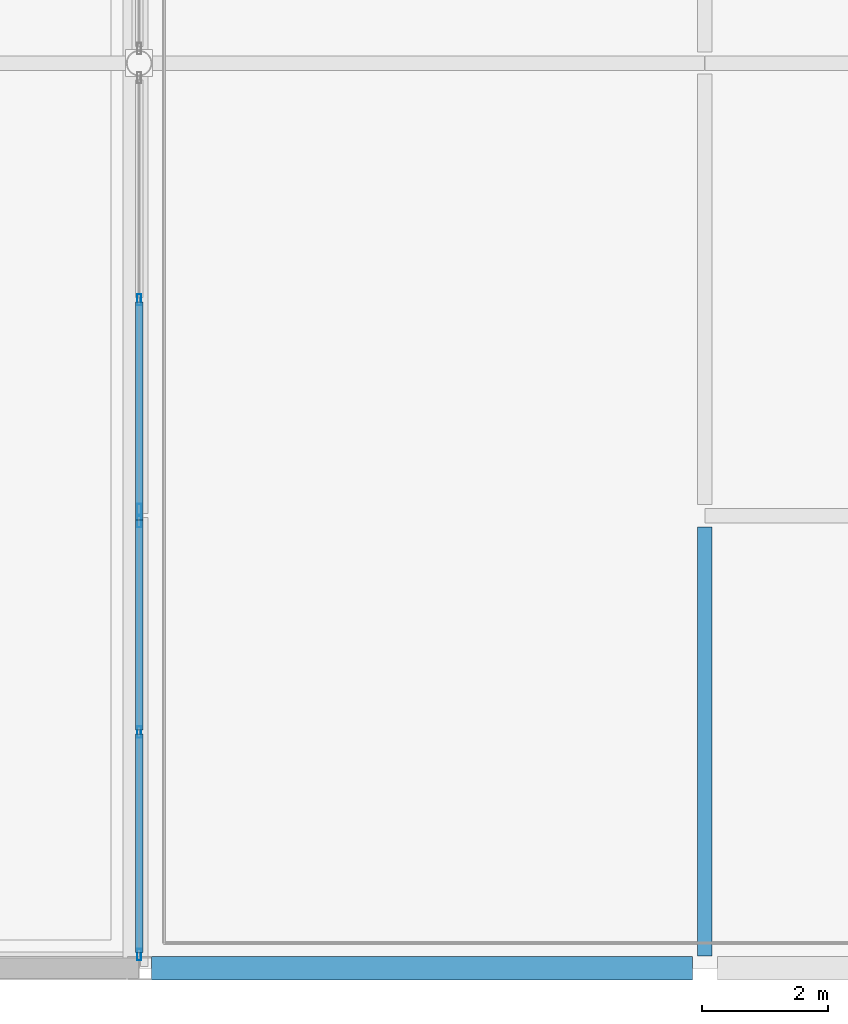
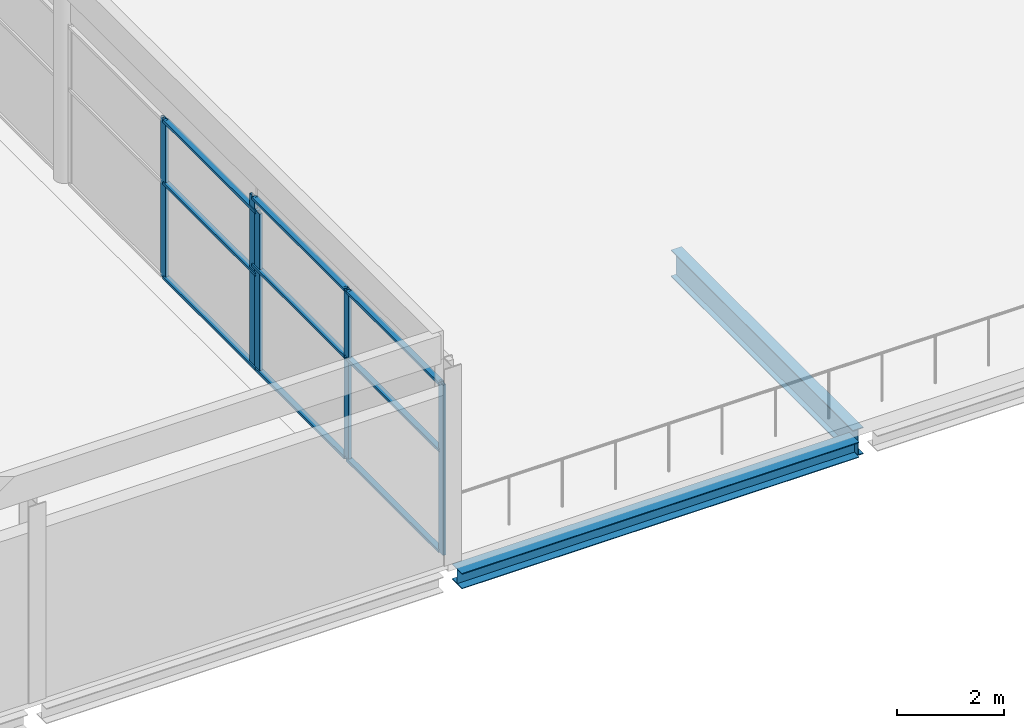
# One storey, part 13 of 52: 14 members, 2 beams, 2 elements without a shape of their own.
"""IFC4 building model written with IfcOpenShell, lengths in metres."""

from ifc_helpers import new_model, si_unit, direction, frame, origin, origin_2d, place, context, subcontext, project, spatial, hollow_rectangle, i_section, extrude, material, layer, layer_set, material_profile, profile_set, type_object, element, aggregate, save


model = new_model("IFC4")

# Units and contexts
model_context = context("Model", 3, precision=1e-05, world=origin(), true_north=direction((0.0, 1.0)))
body_context = subcontext(model_context, "Body", "Model", "MODEL_VIEW")
ifc_project = project(units=[si_unit("LENGTHUNIT", "METRE"), si_unit("AREAUNIT", "SQUARE_METRE"), si_unit("VOLUMEUNIT", "CUBIC_METRE"), si_unit("PLANEANGLEUNIT", "RADIAN"), si_unit("MASSUNIT", "GRAM", prefix="KILO")], contexts=[model_context])

# Site, building, storey
site_placement = place(None, origin())
site = spatial("IfcSite", under=ifc_project, at=site_placement, CompositionType="ELEMENT")
building_placement = place(site_placement, origin())
building = spatial("IfcBuilding", under=site, at=building_placement, Name="Celestram Park Convention Centre", CompositionType="ELEMENT")
storey_placement = place(building_placement, frame((0.0, 0.0, 24.300048828125)))
storey = spatial("IfcBuildingStorey", under=building, at=storey_placement, Name="L05", CompositionType="ELEMENT", Elevation=24.300048828125)

# Curtain wall, members
ifc_material_1 = material(Name="Anodised Aluminium Alloy 6063-T6", Category="aluminium")
ifc_layer_1 = layer(ifc_material_1, 0.179931640625)
ifc_layer_set_1 = layer_set([ifc_layer_1], Name="Anodised Aluminium Alloy 6063-T6")
curtain_wall_type_1 = type_object("IfcCurtainWallType", Name="ARC-CW-713X365", PredefinedType="NOTDEFINED", material=ifc_layer_set_1)
curtain_wall_1_placement = place(storey_placement, origin())
curtain_wall_1 = element("IfcCurtainWall", 1, at=curtain_wall_1_placement, inside=storey, type_object=curtain_wall_type_1, Name="Unitised curtain wall CU-L05-258", PredefinedType="NOTDEFINED")
ifc_material_profile_1 = material_profile(ifc_material_1, hollow_rectangle(XDim=0.06494140625, YDim=0.179931640625, WallThickness=0.00390625, at=origin_2d()), Name="ALU65X180X4")
ifc_profile_set_1 = profile_set([ifc_material_profile_1], Name="Anodised Aluminium Alloy 6063-T6")
member_type_1 = type_object("IfcMemberType", Name="ARC-CWM-150", PredefinedType="MULLION", material=ifc_profile_set_1)
member_1_placement = place(storey_placement, frame((72.0, 118.635498046875, 0.0), z_axis=(0.0, 0.0, 1.0), x_axis=(1.0, 0.0, 0.0)))
member_1 = element("IfcMember", 2, at=member_1_placement, type_object=member_type_1, Name="CW-71X36 mullion 2", PredefinedType="MULLION", context=body_context, shape_type="SweptSolid", body=[
    extrude(hollow_rectangle(XDim=0.06494140625, YDim=0.179931640625, WallThickness=0.00390625, at=origin_2d()), origin(), (0.0, 0.0, 1.0), 3.64794921875),
])
member_2_placement = place(storey_placement, frame((72.0, 115.1025390625, 0.0), z_axis=(0.0, 0.0, 1.0), x_axis=(1.0, 0.0, 0.0)))
member_2 = element("IfcMember", 3, at=member_2_placement, type_object=member_type_1, Name="CW-71X36 mullion 3", PredefinedType="MULLION", context=body_context, shape_type="SweptSolid", body=[
    extrude(hollow_rectangle(XDim=0.06494140625, YDim=0.179931640625, WallThickness=0.00390625, at=origin_2d()), origin(), (0.0, 0.0, 1.0), 3.64794921875),
])

ifc_layer_2 = layer(ifc_material_1, 0.179931640625)
ifc_layer_set_2 = layer_set([ifc_layer_2], Name="Anodised Aluminium Alloy 6063-T6")
curtain_wall_type_2 = type_object("IfcCurtainWallType", Name="ARC-CW-715X390", PredefinedType="NOTDEFINED", material=ifc_layer_set_2)
curtain_wall_2_placement = place(storey_placement, origin())
curtain_wall_2 = element("IfcCurtainWall", 4, at=curtain_wall_2_placement, inside=storey, type_object=curtain_wall_type_2, Name="Unitised curtain wall CU-L05-259", PredefinedType="NOTDEFINED")
member_3_placement = place(storey_placement, frame((72.0, 115.297607421875, 0.0), z_axis=(0.0, 0.0, 1.0), x_axis=(1.0, 0.0, 0.0)))
member_3 = element("IfcMember", 5, at=member_3_placement, type_object=member_type_1, Name="CW-71X39 mullion 1", PredefinedType="MULLION", context=body_context, shape_type="SweptSolid", body=[
    extrude(hollow_rectangle(XDim=0.06494140625, YDim=0.179931640625, WallThickness=0.00390625, at=origin_2d()), origin(), (0.0, 0.0, 1.0), 3.904052734375),
])
member_4_placement = place(storey_placement, frame((72.0, 111.75732421875, 0.0), z_axis=(0.0, 0.0, 1.0), x_axis=(1.0, 0.0, 0.0)))
member_4 = element("IfcMember", 6, at=member_4_placement, type_object=member_type_1, Name="CW-71X39 mullion 2", PredefinedType="MULLION", context=body_context, shape_type="SweptSolid", body=[
    extrude(hollow_rectangle(XDim=0.06494140625, YDim=0.179931640625, WallThickness=0.00390625, at=origin_2d()), origin(), (0.0, 0.0, 1.0), 3.904052734375),
])
member_5_placement = place(storey_placement, frame((72.0, 108.217041015625, 0.0), z_axis=(0.0, 0.0, 1.0), x_axis=(1.0, 0.0, 0.0)))
member_5 = element("IfcMember", 7, at=member_5_placement, type_object=member_type_1, Name="CW-71X39 mullion 3", PredefinedType="MULLION", context=body_context, shape_type="SweptSolid", body=[
    extrude(hollow_rectangle(XDim=0.06494140625, YDim=0.179931640625, WallThickness=0.00390625, at=origin_2d()), origin(), (0.0, 0.0, 1.0), 3.904052734375),
])

# Member
ifc_material_profile_2 = material_profile(ifc_material_1, hollow_rectangle(XDim=0.1201171875, YDim=0.06005859375, WallThickness=0.0029296875, at=origin_2d()), Name="ALU120X60X3")
ifc_profile_set_2 = profile_set([ifc_material_profile_2], Name="Anodised Aluminium Alloy 6063-T6")
member_type_2 = type_object("IfcMemberType", Name="ARC-CWT-120", PredefinedType="USERDEFINED", material=ifc_profile_set_2)
member_6_placement = place(storey_placement, frame((72.0, 118.60302734375, 0.030029296875), z_axis=(0.0, -1.0, 0.0), x_axis=(1.0, 0.0, 0.0)))
member_6 = element("IfcMember", 8, at=member_6_placement, type_object=member_type_2, Name="CW-71X36 transom 2.1", ObjectType="TRANSOM", PredefinedType="USERDEFINED", context=body_context, shape_type="SweptSolid", body=[
    extrude(hollow_rectangle(XDim=0.1201171875, YDim=0.06005859375, WallThickness=0.0029296875, at=origin_2d()), origin(), (0.0, 0.0, 1.0), 3.468017578125),
])

member_7_placement = place(storey_placement, frame((72.0, 118.60302734375, 2.18896484375), z_axis=(0.0, -1.0, 0.0), x_axis=(1.0, 0.0, 0.0)))
member_7 = element("IfcMember", 9, at=member_7_placement, type_object=member_type_2, Name="CW-71X36 transom 2.2", ObjectType="TRANSOM", PredefinedType="USERDEFINED", context=body_context, shape_type="SweptSolid", body=[
    extrude(hollow_rectangle(XDim=0.1201171875, YDim=0.06005859375, WallThickness=0.0029296875, at=origin_2d()), origin(), (0.0, 0.0, 1.0), 3.468017578125),
])

member_8_placement = place(storey_placement, frame((72.0, 118.60302734375, 3.617919921875), z_axis=(0.0, -1.0, 0.0), x_axis=(1.0, 0.0, 0.0)))
member_8 = element("IfcMember", 10, at=member_8_placement, type_object=member_type_2, Name="CW-71X36 transom 2.3", ObjectType="TRANSOM", PredefinedType="USERDEFINED", context=body_context, shape_type="SweptSolid", body=[
    extrude(hollow_rectangle(XDim=0.1201171875, YDim=0.06005859375, WallThickness=0.0029296875, at=origin_2d()), origin(), (0.0, 0.0, 1.0), 3.468017578125),
])

aggregate(curtain_wall_1, [member_1, member_2, member_6, member_7, member_8])

member_9_placement = place(storey_placement, frame((72.0, 115.264892578125, 0.030029296875), z_axis=(0.0, -1.0, 0.0), x_axis=(1.0, 0.0, 0.0)))
member_9 = element("IfcMember", 11, at=member_9_placement, type_object=member_type_2, Name="CW-71X39 transom 1.1", ObjectType="TRANSOM", PredefinedType="USERDEFINED", context=body_context, shape_type="SweptSolid", body=[
    extrude(hollow_rectangle(XDim=0.1201171875, YDim=0.06005859375, WallThickness=0.0029296875, at=origin_2d()), origin(), (0.0, 0.0, 1.0), 3.47509765625),
])

member_10_placement = place(storey_placement, frame((72.0, 115.264892578125, 2.342041015625), z_axis=(0.0, -1.0, 0.0), x_axis=(1.0, 0.0, 0.0)))
member_10 = element("IfcMember", 12, at=member_10_placement, type_object=member_type_2, Name="CW-71X39 transom 1.2", ObjectType="TRANSOM", PredefinedType="USERDEFINED", context=body_context, shape_type="SweptSolid", body=[
    extrude(hollow_rectangle(XDim=0.1201171875, YDim=0.06005859375, WallThickness=0.0029296875, at=origin_2d()), origin(), (0.0, 0.0, 1.0), 3.47509765625),
])

member_11_placement = place(storey_placement, frame((72.0, 115.264892578125, 3.8740234375), z_axis=(0.0, -1.0, 0.0), x_axis=(1.0, 0.0, 0.0)))
member_11 = element("IfcMember", 13, at=member_11_placement, type_object=member_type_2, Name="CW-71X39 transom 1.3", ObjectType="TRANSOM", PredefinedType="USERDEFINED", context=body_context, shape_type="SweptSolid", body=[
    extrude(hollow_rectangle(XDim=0.1201171875, YDim=0.06005859375, WallThickness=0.0029296875, at=origin_2d()), origin(), (0.0, 0.0, 1.0), 3.47509765625),
])

member_12_placement = place(storey_placement, frame((72.0, 111.724853515625, 0.030029296875), z_axis=(0.0, -1.0, 0.0), x_axis=(1.0, 0.0, 0.0)))
member_12 = element("IfcMember", 14, at=member_12_placement, type_object=member_type_2, Name="CW-71X39 transom 2.1", ObjectType="TRANSOM", PredefinedType="USERDEFINED", context=body_context, shape_type="SweptSolid", body=[
    extrude(hollow_rectangle(XDim=0.1201171875, YDim=0.06005859375, WallThickness=0.0029296875, at=origin_2d()), origin(), (0.0, 0.0, 1.0), 3.475341796875),
])

member_13_placement = place(storey_placement, frame((72.0, 111.724853515625, 2.342041015625), z_axis=(0.0, -1.0, 0.0), x_axis=(1.0, 0.0, 0.0)))
member_13 = element("IfcMember", 15, at=member_13_placement, type_object=member_type_2, Name="CW-71X39 transom 2.2", ObjectType="TRANSOM", PredefinedType="USERDEFINED", context=body_context, shape_type="SweptSolid", body=[
    extrude(hollow_rectangle(XDim=0.1201171875, YDim=0.06005859375, WallThickness=0.0029296875, at=origin_2d()), origin(), (0.0, 0.0, 1.0), 3.475341796875),
])

member_14_placement = place(storey_placement, frame((72.0, 111.724853515625, 3.8740234375), z_axis=(0.0, -1.0, 0.0), x_axis=(1.0, 0.0, 0.0)))
member_14 = element("IfcMember", 16, at=member_14_placement, type_object=member_type_2, Name="CW-71X39 transom 2.3", ObjectType="TRANSOM", PredefinedType="USERDEFINED", context=body_context, shape_type="SweptSolid", body=[
    extrude(hollow_rectangle(XDim=0.1201171875, YDim=0.06005859375, WallThickness=0.0029296875, at=origin_2d()), origin(), (0.0, 0.0, 1.0), 3.475341796875),
])

aggregate(curtain_wall_2, [member_3, member_4, member_5, member_9, member_10, member_11, member_12, member_13, member_14])

# Beams
ifc_material_2 = material(Name="Steel ASTM A992 Grade 50", Category="steel")
ifc_material_profile_3 = material_profile(ifc_material_2, i_section(OverallWidth=0.22900390625, OverallDepth=0.612060546875, WebThickness=0.011962890625, FlangeThickness=0.01953125, at=origin_2d()), Name="W24X84")
ifc_profile_set_3 = profile_set([ifc_material_profile_3], Name="Steel ASTM A992 Grade 50")
beam_type_1 = type_object("IfcBeamType", Name="STR-BM-W24X84", PredefinedType="BEAM", material=ifc_profile_set_3)
beam_1_placement = place(storey_placement, frame((81.0, 108.197998046875, -0.60595703125), z_axis=(0.0, 1.0, 0.0), x_axis=(-1.0, 0.0, 0.0)))
element("IfcBeam", 17, at=beam_1_placement, inside=storey, type_object=beam_type_1, Name="Primary Y-girder BG-L05-0072", PredefinedType="BEAM", context=body_context, shape_type="SweptSolid", body=[
    extrude(i_section(OverallWidth=0.22900390625, OverallDepth=0.612060546875, WebThickness=0.011962890625, FlangeThickness=0.01953125, at=origin_2d()), origin(), (0.0, 0.0, 1.0), 6.825927734375),
])
ifc_material_profile_4 = material_profile(ifc_material_2, i_section(OverallWidth=0.367919921875, OverallDepth=0.35595703125, WebThickness=0.01123046875, FlangeThickness=0.01806640625, at=origin_2d()), Name="W14X90")
ifc_profile_set_4 = profile_set([ifc_material_profile_4], Name="Steel ASTM A992 Grade 50")
beam_type_2 = type_object("IfcBeamType", Name="STR-SPN-W14X90", PredefinedType="SPANDREL", material=ifc_profile_set_4)
beam_2_placement = place(storey_placement, frame((72.197998046875, 108.0, -0.47802734375), z_axis=(1.0, 0.0, 0.0), x_axis=(0.0, 1.0, 0.0)))
element("IfcBeam", 18, at=beam_2_placement, inside=storey, type_object=beam_type_2, Name="Primary X-girder BG-L05-0057", PredefinedType="SPANDREL", context=body_context, shape_type="SweptSolid", body=[
    extrude(i_section(OverallWidth=0.367919921875, OverallDepth=0.35595703125, WebThickness=0.01123046875, FlangeThickness=0.01806640625, at=origin_2d()), origin(), (0.0, 0.0, 1.0), 8.60400390625),
])

save(model, "model.ifc")
